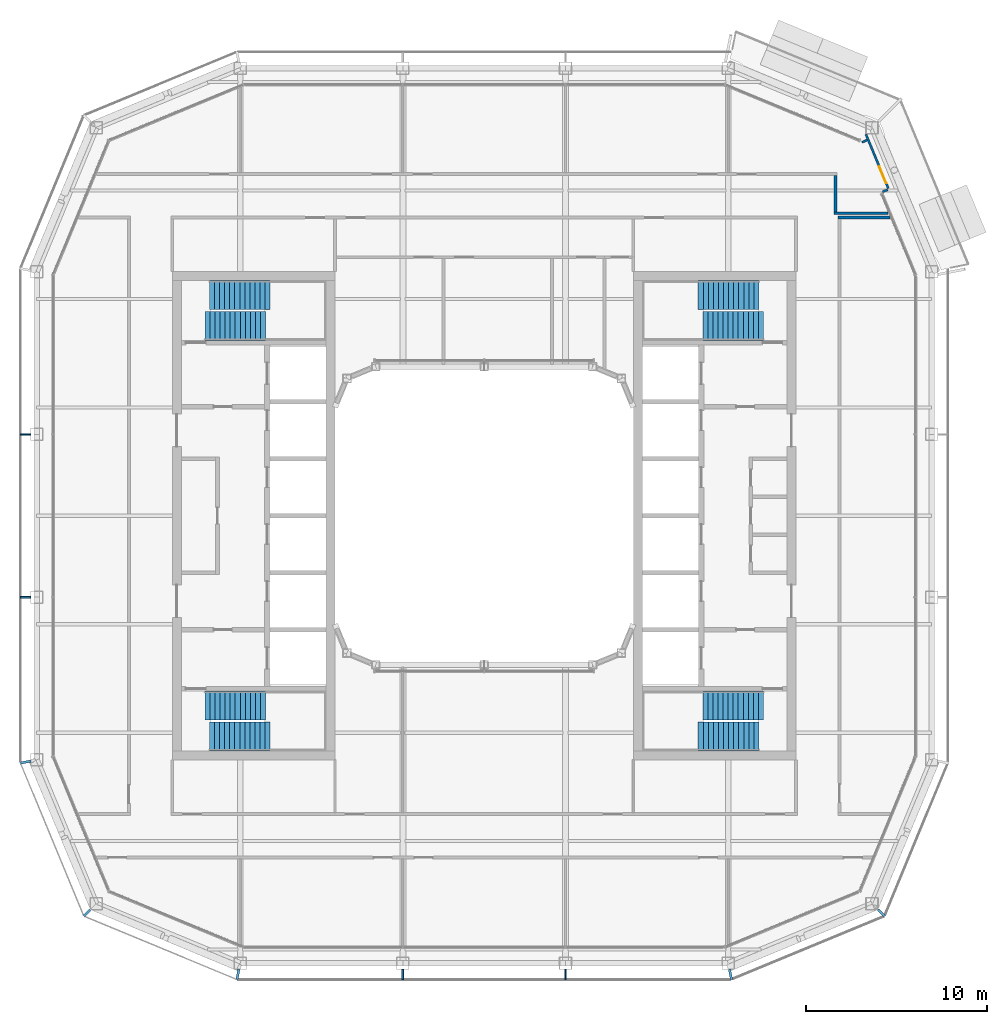
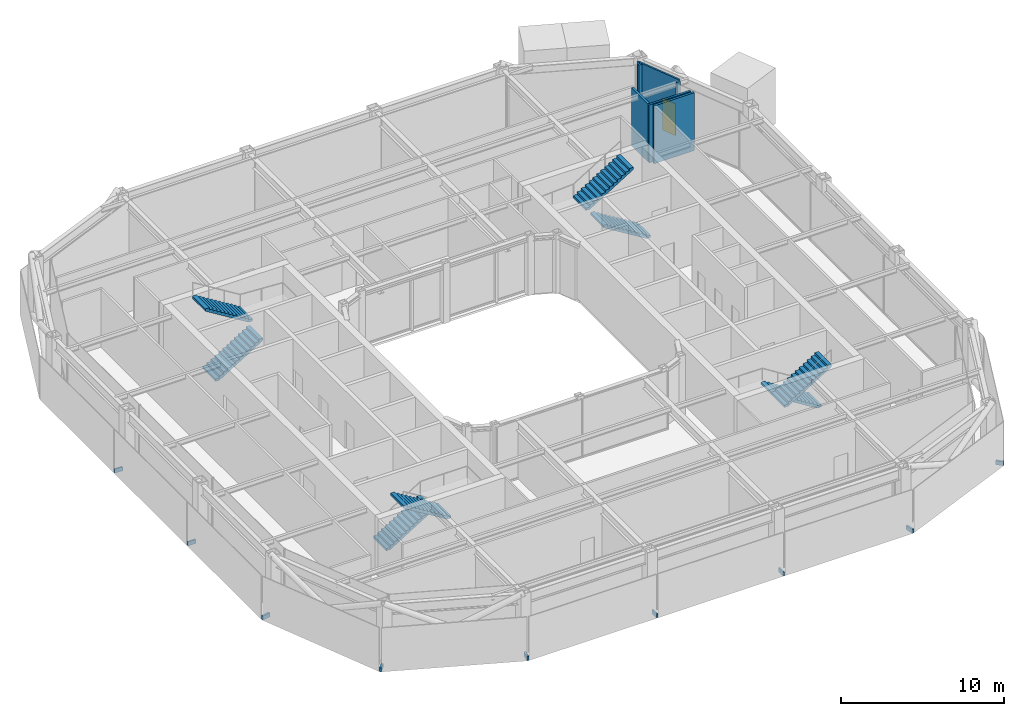
# One storey, part 14 of 21: 9 discrete accessories, 8 stair flights, 6 walls, 1 door, 1 opening, 4 elements without a shape of their own.
"""IFC4 building model written with IfcOpenShell, lengths in metres."""

from ifc_helpers import new_model, si_unit, direction, frame, frame_2d, origin, origin_2d, place, context, subcontext, project, spatial, polyline, rectangle, outline, extrude, material, layer, layer_set, type_object, element, fill, aggregate, save


model = new_model("IFC4")

# Units and contexts
model_context = context("Model", 3, precision=1e-05, world=origin(), true_north=direction((0.0, 1.0)))
body_context = subcontext(model_context, "Body", "Model", "MODEL_VIEW")
ifc_project = project(units=[si_unit("LENGTHUNIT", "METRE"), si_unit("AREAUNIT", "SQUARE_METRE"), si_unit("VOLUMEUNIT", "CUBIC_METRE"), si_unit("PLANEANGLEUNIT", "RADIAN"), si_unit("MASSUNIT", "GRAM", prefix="KILO")], contexts=[model_context])

# Site, building, storey
site_placement = place(None, origin())
site = spatial("IfcSite", under=ifc_project, at=site_placement, CompositionType="ELEMENT")
building_placement = place(site_placement, origin())
building = spatial("IfcBuilding", under=site, at=building_placement, Name="Siwar Civic Tower", CompositionType="ELEMENT")
storey_placement = place(building_placement, frame((0.0, 0.0, 325.699951171875)))
storey = spatial("IfcBuildingStorey", under=building, at=storey_placement, Name="L70", CompositionType="ELEMENT", Elevation=325.699951171875)

# Walls
ifc_material_1 = material(Name="Gypsum board on steel studs", Category="steel")
ifc_layer_1 = layer(ifc_material_1, 0.14990234375)
ifc_layer_set_1 = layer_set([ifc_layer_1], Name="Gypsum board on steel studs")
wall_type_1 = type_object("IfcWallType", Name="CORRIDOR PARTITION 150 EI 30", PredefinedType="PARTITIONING", material=ifc_layer_set_1)
wall_1_placement = place(storey_placement, frame((19.5810546875, 16.4951171875, 0.0), z_axis=(0.0, 0.0, 1.0), x_axis=(1.0, 0.0, 0.0)))
element("IfcWall", 1, at=wall_1_placement, inside=storey, type_object=wall_type_1, Name="L70/wall/P09", PredefinedType="PARTITIONING", context=body_context, shape_type="SweptSolid", body=[
    extrude(rectangle(XDim=2.85498046875, YDim=0.14990234375, at=frame_2d((1.427490234375, 0.0))), origin(), (0.0, 0.0, 1.0), 4.35009765625),
])
wall_2_placement = place(storey_placement, frame((19.35302734375, 16.73388671875, 0.0), z_axis=(0.0, 0.0, 1.0), x_axis=(1.0, 0.0, 0.0)))
element("IfcWall", 2, at=wall_2_placement, inside=storey, type_object=wall_type_1, Name="L70/wall/P10", PredefinedType="PARTITIONING", context=body_context, shape_type="SweptSolid", body=[
    extrude(rectangle(XDim=2.986083984375, YDim=0.14990234375, at=frame_2d((1.4931640625, 0.0))), origin(), (0.0, 0.0, 1.0), 4.35009765625),
])
wall_3_placement = place(storey_placement, frame((19.427978515625, 16.80908203125, 0.0), z_axis=(0.0, 0.0, 1.0), x_axis=(0.0, 1.0, 0.0)))
element("IfcWall", 3, at=wall_3_placement, inside=storey, type_object=wall_type_1, Name="L70/wall/P34", PredefinedType="PARTITIONING", context=body_context, shape_type="SweptSolid", body=[
    extrude(rectangle(XDim=2.015869140625, YDim=0.14990234375, at=frame_2d((1.0078125, 0.0))), origin(), (0.0, 0.0, 1.0), 4.35009765625),
])
ifc_material_2 = material(Name="Aluminium clad insulated panel", Category="aluminium")
ifc_layer_2 = layer(ifc_material_2, 0.1201171875)
ifc_layer_set_2 = layer_set([ifc_layer_2], Name="Aluminium clad insulated panel")
wall_type_2 = type_object("IfcWallType", Name="ENV-WALL-BAL", PredefinedType="STANDARD", material=ifc_layer_set_2)
wall_4_placement = place(storey_placement, frame((22.03271484375, 17.91748046875, 0.0), z_axis=(0.0, 0.0, 1.0), x_axis=(0.923844027884, 0.382769136873, 0.0)))
element("IfcWall", 4, at=wall_4_placement, inside=storey, type_object=wall_type_2, Name="Balcony door wall return NE1", PredefinedType="STANDARD", context=body_context, shape_type="SweptSolid", body=[
    extrude(rectangle(XDim=0.31005859375, YDim=0.1201171875, at=frame_2d((0.155029296875, 0.0))), origin(), (0.0, 0.0, 1.0), 4.35009765625),
])
wall_5_placement = place(storey_placement, frame((20.896484375, 20.66015625, 0.0), z_axis=(0.0, 0.0, 1.0), x_axis=(0.923959293734, 0.382490814953, 0.0)))
element("IfcWall", 5, at=wall_5_placement, inside=storey, type_object=wall_type_2, Name="Balcony door wall return NE1", PredefinedType="STANDARD", context=body_context, shape_type="SweptSolid", body=[
    extrude(rectangle(XDim=0.310302734375, YDim=0.1201171875, at=frame_2d((0.1552734375, 0.0))), origin(), (0.0, 0.0, 1.0), 4.35009765625),
])

# Wall, opening, door
wall_6_placement = place(storey_placement, frame((22.3515625, 18.114501953125, 0.0), z_axis=(0.0, 0.0, 1.0), x_axis=(-0.382702621907, 0.923871583709, 0.0)))
wall_6 = element("IfcWall", 6, at=wall_6_placement, inside=storey, type_object=wall_type_2, Name="Balcony door wall NE1", PredefinedType="STANDARD", context=body_context, shape_type="SweptSolid", body=[
    extrude(rectangle(XDim=3.23681640625, YDim=0.1201171875, at=frame_2d((1.618408203125, 0.0))), origin(), (0.0, 0.0, 1.0), 4.35009765625),
])
opening_placement = place(wall_6_placement, frame((0.300048828125, 0.0, 0.0)))
opening = element("IfcOpeningElement", 7, at=opening_placement, cuts=wall_6, Name="Opening D-BAL", PredefinedType="OPENING", context=body_context, shape_type="SweptSolid", body=[
    extrude(rectangle(XDim=1.0, YDim=2.39990234375, at=frame_2d((0.5, 1.199951171875))), frame((0.0, 0.070068359375, 0.0), z_axis=(0.0, -1.0, 0.0), x_axis=(1.0, 0.0, 0.0)), (0.0, 0.0, 1.0), 0.14013671875),
])
ifc_material_3 = material(Name="Aluminium and glass", Category="aluminium")
door_type = type_object("IfcDoorType", Name="ENV-DOOR-BAL", OperationType="SINGLE_SWING_LEFT", PredefinedType="DOOR", material=ifc_material_3)
door_placement = place(opening_placement, origin())
door = element("IfcDoor", 8, at=door_placement, inside=storey, type_object=door_type, Name="Balcony door NE", OperationType="SINGLE_SWING_LEFT", OverallHeight=2.39990234375, OverallWidth=1.0, PredefinedType="DOOR", context=body_context, shape_type="SweptSolid", body=[
    extrude(rectangle(XDim=1.0, YDim=2.39990234375, at=frame_2d((0.5, 1.199951171875))), frame((0.0, 0.02490234375, 0.0), z_axis=(0.0, -1.0, 0.0), x_axis=(1.0, 0.0, 0.0)), (0.0, 0.0, 1.0), 0.050048828125),
])
fill(opening, door)

# Stair, stair flights
ifc_material_4 = material(Name="Concrete C40/50", Category="concrete")
stair_type = type_object("IfcStairType", Name="CORE-STAIR", PredefinedType="TWO_STRAIGHT_RUN_STAIR", material=ifc_material_4)
stair_1_placement = place(storey_placement, origin())
stair_1 = element("IfcStair", 9, at=stair_1_placement, inside=storey, type_object=stair_type, Name="Exit stair ST1", PredefinedType="TWO_STRAIGHT_RUN_STAIR")
ifc_material_5 = material(Name="Concrete C40/50", Category="concrete")
stair_flight_type = type_object("IfcStairFlightType", Name="CORE-STAIR-FLIGHT", PredefinedType="STRAIGHT", material=ifc_material_5)
stair_flight_1_placement = place(storey_placement, frame((-15.449951171875, 10.5, 0.0), z_axis=(0.0, 0.0, 1.0), x_axis=(1.0, 0.0, 0.0)))
stair_flight_1 = element("IfcStairFlight", 10, at=stair_flight_1_placement, type_object=stair_flight_type, Name="ST1 flight 1", NumberOfRisers=13, NumberOfTreads=12, PredefinedType="STRAIGHT", RiserHeight=0.173076923, TreadLength=0.28, context=body_context, shape_type="SweptSolid", body=[
    extrude(outline(polyline([(0.0, 0.0), (0.0, 0.173095703125), (0.280029296875, 0.173095703125), (0.280029296875, 0.34619140625), (0.56005859375, 0.34619140625), (0.56005859375, 0.519287109375), (0.840087890625, 0.519287109375), (0.840087890625, 0.6923828125), (1.1201171875, 0.6923828125), (1.1201171875, 0.865478515625), (1.39990234375, 0.865478515625), (1.39990234375, 1.03857421875), (1.679931640625, 1.03857421875), (1.679931640625, 1.21142578125), (1.9599609375, 1.21142578125), (1.9599609375, 1.384521484375), (2.239990234375, 1.384521484375), (2.239990234375, 1.5576171875), (2.52001953125, 1.5576171875), (2.52001953125, 1.730712890625), (2.800048828125, 1.730712890625), (2.800048828125, 1.90380859375), (3.080078125, 1.90380859375), (3.080078125, 2.076904296875), (3.360107421875, 2.076904296875), (3.360107421875, 2.25), (3.360107421875, 1.900634765625), (0.28515625, 0.0), (0.0, 0.0)])), frame((0.0, 0.800048828125, 0.0), z_axis=(0.0, -1.0, 0.0), x_axis=(1.0, 0.0, 0.0)), (0.0, 0.0, 1.0), 1.60009765625),
])
stair_flight_2_placement = place(storey_placement, frame((-11.840087890625, 12.199951171875, 2.25), z_axis=(0.0, 0.0, 1.0), x_axis=(-1.0, 0.0, 0.0)))
stair_flight_2 = element("IfcStairFlight", 11, at=stair_flight_2_placement, type_object=stair_flight_type, Name="ST1 flight 2", NumberOfRisers=13, NumberOfTreads=12, PredefinedType="STRAIGHT", RiserHeight=0.173076923, TreadLength=0.28, context=body_context, shape_type="SweptSolid", body=[
    extrude(outline(polyline([(0.0, 0.0), (0.0, 0.173095703125), (0.280029296875, 0.173095703125), (0.280029296875, 0.34619140625), (0.56005859375, 0.34619140625), (0.56005859375, 0.519287109375), (0.840087890625, 0.519287109375), (0.840087890625, 0.6923828125), (1.1201171875, 0.6923828125), (1.1201171875, 0.865478515625), (1.39990234375, 0.865478515625), (1.39990234375, 1.03857421875), (1.679931640625, 1.03857421875), (1.679931640625, 1.21142578125), (1.9599609375, 1.21142578125), (1.9599609375, 1.384521484375), (2.239990234375, 1.384521484375), (2.239990234375, 1.5576171875), (2.52001953125, 1.5576171875), (2.52001953125, 1.730712890625), (2.800048828125, 1.730712890625), (2.800048828125, 1.90380859375), (3.080078125, 1.90380859375), (3.080078125, 2.076904296875), (3.360107421875, 2.076904296875), (3.360107421875, 2.25), (3.360107421875, 1.900634765625), (0.28515625, 0.0), (0.0, 0.0)])), frame((0.0, 0.800048828125, 0.0), z_axis=(0.0, -1.0, 0.0), x_axis=(1.0, 0.0, 0.0)), (0.0, 0.0, 1.0), 1.60009765625),
])
aggregate(stair_1, [stair_flight_1, stair_flight_2])

stair_2_placement = place(storey_placement, origin())
stair_2 = element("IfcStair", 12, at=stair_2_placement, inside=storey, type_object=stair_type, Name="Exit stair ST2", PredefinedType="TWO_STRAIGHT_RUN_STAIR")
stair_flight_3_placement = place(storey_placement, frame((-15.449951171875, -10.5, 0.0), z_axis=(0.0, 0.0, 1.0), x_axis=(1.0, 0.0, 0.0)))
stair_flight_3 = element("IfcStairFlight", 13, at=stair_flight_3_placement, type_object=stair_flight_type, Name="ST2 flight 1", NumberOfRisers=13, NumberOfTreads=12, PredefinedType="STRAIGHT", RiserHeight=0.173076923, TreadLength=0.28, context=body_context, shape_type="SweptSolid", body=[
    extrude(outline(polyline([(0.0, 0.0), (0.0, 0.173095703125), (0.280029296875, 0.173095703125), (0.280029296875, 0.34619140625), (0.56005859375, 0.34619140625), (0.56005859375, 0.519287109375), (0.840087890625, 0.519287109375), (0.840087890625, 0.6923828125), (1.1201171875, 0.6923828125), (1.1201171875, 0.865478515625), (1.39990234375, 0.865478515625), (1.39990234375, 1.03857421875), (1.679931640625, 1.03857421875), (1.679931640625, 1.21142578125), (1.9599609375, 1.21142578125), (1.9599609375, 1.384521484375), (2.239990234375, 1.384521484375), (2.239990234375, 1.5576171875), (2.52001953125, 1.5576171875), (2.52001953125, 1.730712890625), (2.800048828125, 1.730712890625), (2.800048828125, 1.90380859375), (3.080078125, 1.90380859375), (3.080078125, 2.076904296875), (3.360107421875, 2.076904296875), (3.360107421875, 2.25), (3.360107421875, 1.900634765625), (0.28515625, 0.0), (0.0, 0.0)])), frame((0.0, 0.800048828125, 0.0), z_axis=(0.0, -1.0, 0.0), x_axis=(1.0, 0.0, 0.0)), (0.0, 0.0, 1.0), 1.60009765625),
])
stair_flight_4_placement = place(storey_placement, frame((-11.840087890625, -12.199951171875, 2.25), z_axis=(0.0, 0.0, 1.0), x_axis=(-1.0, 0.0, 0.0)))
stair_flight_4 = element("IfcStairFlight", 14, at=stair_flight_4_placement, type_object=stair_flight_type, Name="ST2 flight 2", NumberOfRisers=13, NumberOfTreads=12, PredefinedType="STRAIGHT", RiserHeight=0.173076923, TreadLength=0.28, context=body_context, shape_type="SweptSolid", body=[
    extrude(outline(polyline([(0.0, 0.0), (0.0, 0.173095703125), (0.280029296875, 0.173095703125), (0.280029296875, 0.34619140625), (0.56005859375, 0.34619140625), (0.56005859375, 0.519287109375), (0.840087890625, 0.519287109375), (0.840087890625, 0.6923828125), (1.1201171875, 0.6923828125), (1.1201171875, 0.865478515625), (1.39990234375, 0.865478515625), (1.39990234375, 1.03857421875), (1.679931640625, 1.03857421875), (1.679931640625, 1.21142578125), (1.9599609375, 1.21142578125), (1.9599609375, 1.384521484375), (2.239990234375, 1.384521484375), (2.239990234375, 1.5576171875), (2.52001953125, 1.5576171875), (2.52001953125, 1.730712890625), (2.800048828125, 1.730712890625), (2.800048828125, 1.90380859375), (3.080078125, 1.90380859375), (3.080078125, 2.076904296875), (3.360107421875, 2.076904296875), (3.360107421875, 2.25), (3.360107421875, 1.900634765625), (0.28515625, 0.0), (0.0, 0.0)])), frame((0.0, 0.800048828125, 0.0), z_axis=(0.0, -1.0, 0.0), x_axis=(1.0, 0.0, 0.0)), (0.0, 0.0, 1.0), 1.60009765625),
])
aggregate(stair_2, [stair_flight_3, stair_flight_4])

stair_3_placement = place(storey_placement, origin())
stair_3 = element("IfcStair", 15, at=stair_3_placement, inside=storey, type_object=stair_type, Name="Exit stair ST3", PredefinedType="TWO_STRAIGHT_RUN_STAIR")
stair_flight_5_placement = place(storey_placement, frame((15.449951171875, 10.5, 0.0), z_axis=(0.0, 0.0, 1.0), x_axis=(-1.0, 0.0, 0.0)))
stair_flight_5 = element("IfcStairFlight", 16, at=stair_flight_5_placement, type_object=stair_flight_type, Name="ST3 flight 1", NumberOfRisers=13, NumberOfTreads=12, PredefinedType="STRAIGHT", RiserHeight=0.173076923, TreadLength=0.28, context=body_context, shape_type="SweptSolid", body=[
    extrude(outline(polyline([(0.0, 0.0), (0.0, 0.173095703125), (0.280029296875, 0.173095703125), (0.280029296875, 0.34619140625), (0.56005859375, 0.34619140625), (0.56005859375, 0.519287109375), (0.840087890625, 0.519287109375), (0.840087890625, 0.6923828125), (1.1201171875, 0.6923828125), (1.1201171875, 0.865478515625), (1.39990234375, 0.865478515625), (1.39990234375, 1.03857421875), (1.679931640625, 1.03857421875), (1.679931640625, 1.21142578125), (1.9599609375, 1.21142578125), (1.9599609375, 1.384521484375), (2.239990234375, 1.384521484375), (2.239990234375, 1.5576171875), (2.52001953125, 1.5576171875), (2.52001953125, 1.730712890625), (2.800048828125, 1.730712890625), (2.800048828125, 1.90380859375), (3.080078125, 1.90380859375), (3.080078125, 2.076904296875), (3.360107421875, 2.076904296875), (3.360107421875, 2.25), (3.360107421875, 1.900634765625), (0.28515625, 0.0), (0.0, 0.0)])), frame((0.0, 0.800048828125, 0.0), z_axis=(0.0, -1.0, 0.0), x_axis=(1.0, 0.0, 0.0)), (0.0, 0.0, 1.0), 1.60009765625),
])
stair_flight_6_placement = place(storey_placement, frame((11.840087890625, 12.199951171875, 2.25), z_axis=(0.0, 0.0, 1.0), x_axis=(1.0, 0.0, 0.0)))
stair_flight_6 = element("IfcStairFlight", 17, at=stair_flight_6_placement, type_object=stair_flight_type, Name="ST3 flight 2", NumberOfRisers=13, NumberOfTreads=12, PredefinedType="STRAIGHT", RiserHeight=0.173076923, TreadLength=0.28, context=body_context, shape_type="SweptSolid", body=[
    extrude(outline(polyline([(0.0, 0.0), (0.0, 0.173095703125), (0.280029296875, 0.173095703125), (0.280029296875, 0.34619140625), (0.56005859375, 0.34619140625), (0.56005859375, 0.519287109375), (0.840087890625, 0.519287109375), (0.840087890625, 0.6923828125), (1.1201171875, 0.6923828125), (1.1201171875, 0.865478515625), (1.39990234375, 0.865478515625), (1.39990234375, 1.03857421875), (1.679931640625, 1.03857421875), (1.679931640625, 1.21142578125), (1.9599609375, 1.21142578125), (1.9599609375, 1.384521484375), (2.239990234375, 1.384521484375), (2.239990234375, 1.5576171875), (2.52001953125, 1.5576171875), (2.52001953125, 1.730712890625), (2.800048828125, 1.730712890625), (2.800048828125, 1.90380859375), (3.080078125, 1.90380859375), (3.080078125, 2.076904296875), (3.360107421875, 2.076904296875), (3.360107421875, 2.25), (3.360107421875, 1.900634765625), (0.28515625, 0.0), (0.0, 0.0)])), frame((0.0, 0.800048828125, 0.0), z_axis=(0.0, -1.0, 0.0), x_axis=(1.0, 0.0, 0.0)), (0.0, 0.0, 1.0), 1.60009765625),
])
aggregate(stair_3, [stair_flight_5, stair_flight_6])

stair_4_placement = place(storey_placement, origin())
stair_4 = element("IfcStair", 18, at=stair_4_placement, inside=storey, type_object=stair_type, Name="Exit stair ST4", PredefinedType="TWO_STRAIGHT_RUN_STAIR")
stair_flight_7_placement = place(storey_placement, frame((15.449951171875, -10.5, 0.0), z_axis=(0.0, 0.0, 1.0), x_axis=(-1.0, 0.0, 0.0)))
stair_flight_7 = element("IfcStairFlight", 19, at=stair_flight_7_placement, type_object=stair_flight_type, Name="ST4 flight 1", NumberOfRisers=13, NumberOfTreads=12, PredefinedType="STRAIGHT", RiserHeight=0.173076923, TreadLength=0.28, context=body_context, shape_type="SweptSolid", body=[
    extrude(outline(polyline([(0.0, 0.0), (0.0, 0.173095703125), (0.280029296875, 0.173095703125), (0.280029296875, 0.34619140625), (0.56005859375, 0.34619140625), (0.56005859375, 0.519287109375), (0.840087890625, 0.519287109375), (0.840087890625, 0.6923828125), (1.1201171875, 0.6923828125), (1.1201171875, 0.865478515625), (1.39990234375, 0.865478515625), (1.39990234375, 1.03857421875), (1.679931640625, 1.03857421875), (1.679931640625, 1.21142578125), (1.9599609375, 1.21142578125), (1.9599609375, 1.384521484375), (2.239990234375, 1.384521484375), (2.239990234375, 1.5576171875), (2.52001953125, 1.5576171875), (2.52001953125, 1.730712890625), (2.800048828125, 1.730712890625), (2.800048828125, 1.90380859375), (3.080078125, 1.90380859375), (3.080078125, 2.076904296875), (3.360107421875, 2.076904296875), (3.360107421875, 2.25), (3.360107421875, 1.900634765625), (0.28515625, 0.0), (0.0, 0.0)])), frame((0.0, 0.800048828125, 0.0), z_axis=(0.0, -1.0, 0.0), x_axis=(1.0, 0.0, 0.0)), (0.0, 0.0, 1.0), 1.60009765625),
])
stair_flight_8_placement = place(storey_placement, frame((11.840087890625, -12.199951171875, 2.25), z_axis=(0.0, 0.0, 1.0), x_axis=(1.0, 0.0, 0.0)))
stair_flight_8 = element("IfcStairFlight", 20, at=stair_flight_8_placement, type_object=stair_flight_type, Name="ST4 flight 2", NumberOfRisers=13, NumberOfTreads=12, PredefinedType="STRAIGHT", RiserHeight=0.173076923, TreadLength=0.28, context=body_context, shape_type="SweptSolid", body=[
    extrude(outline(polyline([(0.0, 0.0), (0.0, 0.173095703125), (0.280029296875, 0.173095703125), (0.280029296875, 0.34619140625), (0.56005859375, 0.34619140625), (0.56005859375, 0.519287109375), (0.840087890625, 0.519287109375), (0.840087890625, 0.6923828125), (1.1201171875, 0.6923828125), (1.1201171875, 0.865478515625), (1.39990234375, 0.865478515625), (1.39990234375, 1.03857421875), (1.679931640625, 1.03857421875), (1.679931640625, 1.21142578125), (1.9599609375, 1.21142578125), (1.9599609375, 1.384521484375), (2.239990234375, 1.384521484375), (2.239990234375, 1.5576171875), (2.52001953125, 1.5576171875), (2.52001953125, 1.730712890625), (2.800048828125, 1.730712890625), (2.800048828125, 1.90380859375), (3.080078125, 1.90380859375), (3.080078125, 2.076904296875), (3.360107421875, 2.076904296875), (3.360107421875, 2.25), (3.360107421875, 1.900634765625), (0.28515625, 0.0), (0.0, 0.0)])), frame((0.0, 0.800048828125, 0.0), z_axis=(0.0, -1.0, 0.0), x_axis=(1.0, 0.0, 0.0)), (0.0, 0.0, 1.0), 1.60009765625),
])
aggregate(stair_4, [stair_flight_7, stair_flight_8])

# Discrete accessories
ifc_material_6 = material(Name="Stainless steel 316", Category="steel")
discrete_accessory_type = type_object("IfcDiscreteAccessoryType", Name="ENV-BRACKET", PredefinedType="BRACKET", material=ifc_material_6)
for number, where, z_axis, x_axis, name in (
    (21, (-4.5, -25.364990234375, -0.14990234375), (0.0, 0.0, 1.0), (0.0, -1.0, 0.0), "Bracket outer skin joint S-01"),
    (22, (4.5, -25.364990234375, -0.14990234375), (0.0, 0.0, 1.0), (0.0, -1.0, 0.0), "Bracket outer skin joint S-02"),
):
    element("IfcDiscreteAccessory", number, at=place(storey_placement, frame(where, z_axis=z_axis, x_axis=x_axis)), inside=storey, type_object=discrete_accessory_type, Name=name, PredefinedType="BRACKET", context=body_context, shape_type="SweptSolid", body=[
        extrude(rectangle(XDim=0.570068359375, YDim=0.10009765625, at=origin_2d()), origin(), (0.0, 0.0, 1.0), 0.300048828125),
    ])
for number, where, z_axis, x_axis, name in (
    (23, (-13.622314453125, -25.365234375, -0.14990234375), (0.0, 0.0, 1.0), (-0.195090322016, -0.980785280403, 0.0), "Bracket outer skin joint V00"),
    (24, (13.622314453125, -25.365234375, -0.14990234375), (0.0, 0.0, 1.0), (0.195090322016, -0.980785280403, 0.0), "Bracket outer skin joint V01"),
):
    element("IfcDiscreteAccessory", number, at=place(storey_placement, frame(where, z_axis=z_axis, x_axis=x_axis)), inside=storey, type_object=discrete_accessory_type, Name=name, PredefinedType="BRACKET", context=body_context, shape_type="SweptSolid", body=[
        extrude(rectangle(XDim=0.580810546875, YDim=0.13720703125, at=origin_2d()), origin(), (0.0, 0.0, 1.0), 0.300048828125),
    ])
discrete_accessory_1_placement = place(storey_placement, frame((21.96728515625, -21.96728515625, -0.14990234375), z_axis=(0.0, 0.0, 1.0), x_axis=(0.707106781187, -0.707106781187, 0.0)))
element("IfcDiscreteAccessory", 25, at=discrete_accessory_1_placement, inside=storey, type_object=discrete_accessory_type, Name="Bracket outer skin joint V02", PredefinedType="BRACKET", context=body_context, shape_type="SweptSolid", body=[
    extrude(rectangle(XDim=0.499267578125, YDim=0.12939453125, at=origin_2d()), origin(), (0.0, 0.0, 1.0), 0.300048828125),
])
discrete_accessory_2_placement = place(storey_placement, frame((-25.365234375, -13.622314453125, -0.14990234375), z_axis=(0.0, 0.0, 1.0), x_axis=(-0.980785280403, -0.195090322016, 0.0)))
element("IfcDiscreteAccessory", 26, at=discrete_accessory_2_placement, inside=storey, type_object=discrete_accessory_type, Name="Bracket outer skin joint V10", PredefinedType="BRACKET", context=body_context, shape_type="SweptSolid", body=[
    extrude(rectangle(XDim=0.580810546875, YDim=0.13720703125, at=origin_2d()), origin(), (0.0, 0.0, 1.0), 0.300048828125),
])
discrete_accessory_3_placement = place(storey_placement, frame((-21.96728515625, -21.96728515625, -0.14990234375), z_axis=(0.0, 0.0, 1.0), x_axis=(-0.707106781187, -0.707106781187, 0.0)))
element("IfcDiscreteAccessory", 27, at=discrete_accessory_3_placement, inside=storey, type_object=discrete_accessory_type, Name="Bracket outer skin joint V11", PredefinedType="BRACKET", context=body_context, shape_type="SweptSolid", body=[
    extrude(rectangle(XDim=0.499267578125, YDim=0.12939453125, at=origin_2d()), origin(), (0.0, 0.0, 1.0), 0.300048828125),
])
for number, where, z_axis, x_axis, name in (
    (28, (-25.364990234375, 4.5, -0.14990234375), (0.0, 0.0, 1.0), (-1.0, 0.0, 0.0), "Bracket outer skin joint W-01"),
    (29, (-25.364990234375, -4.5, -0.14990234375), (0.0, 0.0, 1.0), (-1.0, 0.0, 0.0), "Bracket outer skin joint W-02"),
):
    element("IfcDiscreteAccessory", number, at=place(storey_placement, frame(where, z_axis=z_axis, x_axis=x_axis)), inside=storey, type_object=discrete_accessory_type, Name=name, PredefinedType="BRACKET", context=body_context, shape_type="SweptSolid", body=[
        extrude(rectangle(XDim=0.570068359375, YDim=0.10009765625, at=origin_2d()), origin(), (0.0, 0.0, 1.0), 0.300048828125),
    ])

save(model, "model.ifc")
